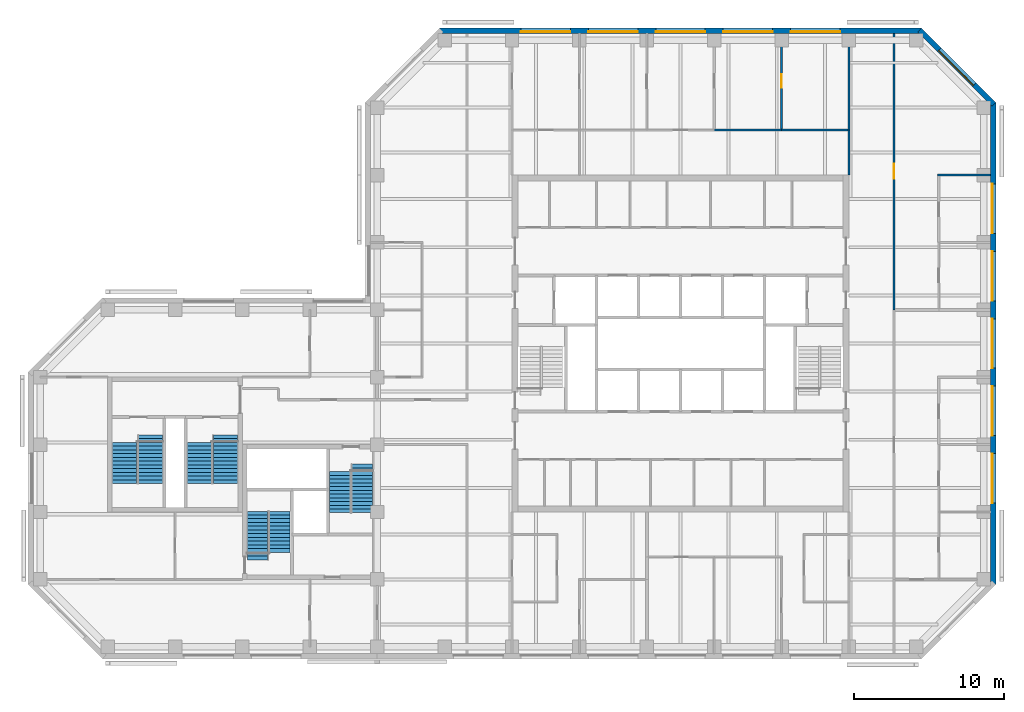
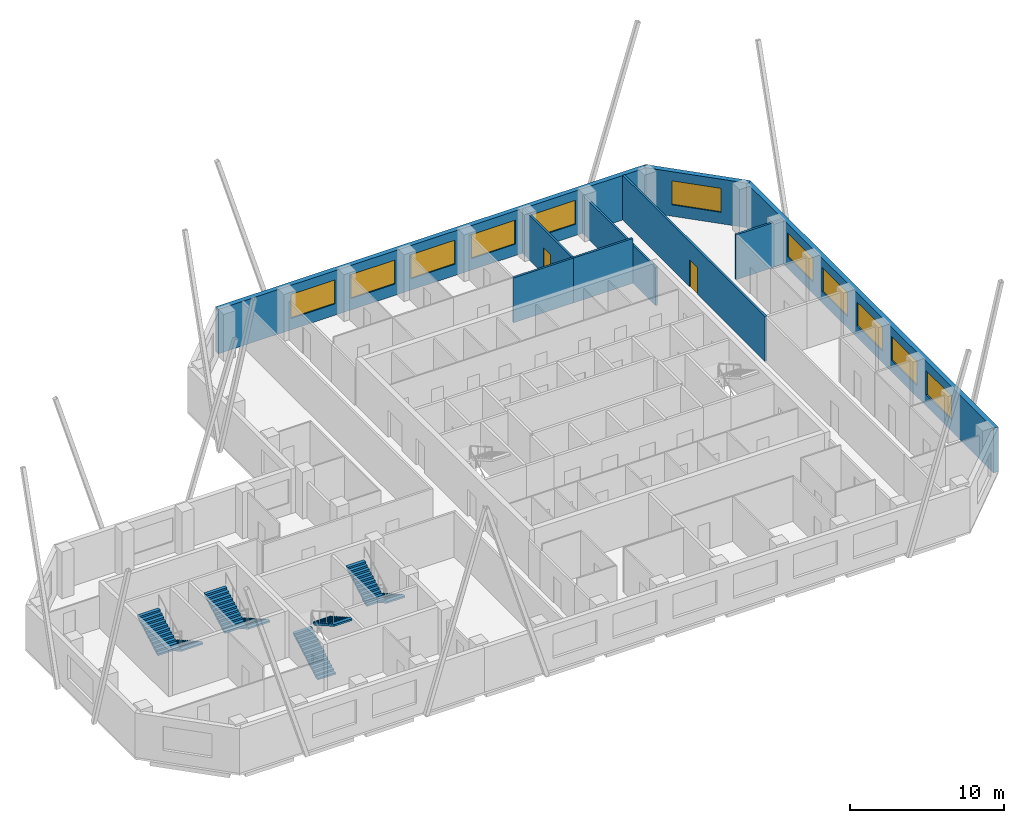
# One storey, part 8 of 10: 11 windows, 10 walls, 8 stair flights, 2 doors, 13 openings, 4 elements without a shape of their own.
"""IFC4 building model written with IfcOpenShell, lengths in metres."""

from ifc_helpers import new_model, si_unit, direction, frame, frame_2d, origin, place, context, subcontext, project, spatial, polyline, rectangle, outline, extrude, material, layer, layer_set, constituent, constituent_set, type_object, element, fill, aggregate, save


model = new_model("IFC4")

# Units and contexts
model_context = context("Model", 3, precision=1e-05, world=origin(), true_north=direction((0.0, 1.0)))
body_context = subcontext(model_context, "Body", "Model", "MODEL_VIEW")
ifc_project = project(units=[si_unit("LENGTHUNIT", "METRE"), si_unit("AREAUNIT", "SQUARE_METRE"), si_unit("VOLUMEUNIT", "CUBIC_METRE"), si_unit("PLANEANGLEUNIT", "RADIAN"), si_unit("MASSUNIT", "GRAM", prefix="KILO")], contexts=[model_context])

# Site, building, storey
site_placement = place(None, origin())
site = spatial("IfcSite", under=ifc_project, at=site_placement, CompositionType="ELEMENT")
building_placement = place(site_placement, origin())
building = spatial("IfcBuilding", under=site, at=building_placement, Name="Quoin Convention Tower", CompositionType="ELEMENT")
storey_placement = place(building_placement, frame((0.0, 0.0, 234.10009765625)))
storey = spatial("IfcBuildingStorey", under=building, at=storey_placement, Name="L61", CompositionType="ELEMENT", Elevation=234.10009765625)

# Walls
ifc_material_1 = material(Name="Plasterboard")
ifc_layer_1 = layer(ifc_material_1, 0.012451171875, Name="Finish")
ifc_material_2 = material(Name="Steel stud framing", Category="steel")
ifc_layer_2 = layer(ifc_material_2, 0.125, Name="Structure")
ifc_layer_3 = layer(ifc_material_1, 0.012451171875, Name="Finish")
ifc_layer_set_1 = layer_set([ifc_layer_1, ifc_layer_2, ifc_layer_3], Name="Steel stud framing")
wall_type_1 = type_object("IfcWallType", Name="Acoustic partition 150", PredefinedType="PARTITIONING", material=ifc_layer_set_1)
wall_1_placement = place(storey_placement, frame((73.425048828125, 72.0, 0.0), z_axis=(0.0, 0.0, 1.0), x_axis=(1.0, 0.0, 0.0)))
element("IfcWall", 1, at=wall_1_placement, inside=storey, type_object=wall_type_1, Name="pw-L61-028", PredefinedType="PARTITIONING", context=body_context, shape_type="SweptSolid", body=[
    extrude(rectangle(XDim=3.52490234375, YDim=0.14990234375, at=frame_2d((1.762451171875, 0.0))), origin(), (0.0, 0.0, 1.0), 3.5498046875),
])
wall_2_placement = place(storey_placement, frame((58.5, 75.0, 0.0), z_axis=(0.0, 0.0, 1.0), x_axis=(1.0, 0.0, 0.0)))
element("IfcWall", 2, at=wall_2_placement, inside=storey, type_object=wall_type_1, Name="pw-L61-032", PredefinedType="PARTITIONING", context=body_context, shape_type="SweptSolid", body=[
    extrude(rectangle(XDim=4.5, YDim=0.14990234375, at=frame_2d((2.25, 0.0))), origin(), (0.0, 0.0, 1.0), 3.5498046875),
])
wall_3_placement = place(storey_placement, frame((63.0, 75.0, 0.0), z_axis=(0.0, 0.0, 1.0), x_axis=(1.0, 0.0, 0.0)))
element("IfcWall", 3, at=wall_3_placement, inside=storey, type_object=wall_type_1, Name="pw-L61-033", PredefinedType="PARTITIONING", context=body_context, shape_type="SweptSolid", body=[
    extrude(rectangle(XDim=4.425048828125, YDim=0.14990234375, at=frame_2d((2.21240234375, 0.0))), origin(), (0.0, 0.0, 1.0), 3.5498046875),
])

# Wall, opening, door
wall_4_placement = place(storey_placement, frame((63.0, 75.074951171875, 0.0), z_axis=(0.0, 0.0, 1.0), x_axis=(0.0, 1.0, 0.0)))
wall_4 = element("IfcWall", 4, at=wall_4_placement, inside=storey, type_object=wall_type_1, Name="pw-L61-079", PredefinedType="PARTITIONING", context=body_context, shape_type="SweptSolid", body=[
    extrude(rectangle(XDim=6.375, YDim=0.14990234375, at=frame_2d((3.1875, 0.0))), origin(), (0.0, 0.0, 1.0), 3.5498046875),
])
opening_1_placement = place(wall_4_placement, frame((2.75, 0.0, 0.0)))
opening_1 = element("IfcOpeningElement", 5, at=opening_1_placement, cuts=wall_4, Name="Opening DOH11-27", PredefinedType="OPENING", context=body_context, shape_type="SweptSolid", body=[
    extrude(rectangle(XDim=0.89990234375, YDim=2.10009765625, at=frame_2d((0.449951171875, 1.050048828125))), frame((0.0, 0.0849609375, 0.0), z_axis=(0.0, -1.0, 0.0), x_axis=(1.0, 0.0, 0.0)), (0.0, 0.0, 1.0), 0.169921875),
])
ifc_material_3 = material(Name="Steel door leaf", Category="steel")
door_type_1 = type_object("IfcDoorType", Name="Office door 900 x 2100", OperationType="SINGLE_SWING_RIGHT", PredefinedType="DOOR", material=ifc_material_3)
door_1_placement = place(opening_1_placement, origin())
door_1 = element("IfcDoor", 6, at=door_1_placement, inside=storey, type_object=door_type_1, Name="dr-L61-21", OperationType="SINGLE_SWING_RIGHT", OverallHeight=2.10009765625, OverallWidth=0.89990234375, PredefinedType="DOOR", context=body_context, shape_type="SweptSolid", body=[
    extrude(rectangle(XDim=0.89990234375, YDim=2.10009765625, at=frame_2d((0.449951171875, 1.050048828125))), frame((0.0, 0.02490234375, 0.0), z_axis=(0.0, -1.0, 0.0), x_axis=(1.0, 0.0, 0.0)), (0.0, 0.0, 1.0), 0.050048828125),
])
fill(opening_1, door_1)

# Wall, openings, windows
ifc_material_4 = material(Name="Brick masonry", Category="masonry")
ifc_layer_4 = layer(ifc_material_4, 0.35009765625)
ifc_layer_set_2 = layer_set([ifc_layer_4], Name="Brick masonry")
wall_type_2 = type_object("IfcWallType", Name="Brick facade wall", PredefinedType="STANDARD", material=ifc_layer_set_2)
wall_5_placement = place(storey_placement, frame((77.125, 44.668701171875, 0.0), z_axis=(0.0, 0.0, 1.0), x_axis=(0.0, 1.0, 0.0)))
wall_5 = element("IfcWall", 7, at=wall_5_placement, inside=storey, type_object=wall_type_2, Name="fw-L61-76500_45000", PredefinedType="STANDARD", context=body_context, shape_type="SweptSolid", body=[
    extrude(rectangle(XDim=32.16259765625, YDim=0.35009765625, at=frame_2d((16.081298828125, 0.0))), origin(), (0.0, 0.0, 1.0), 3.52490234375),
])
opening_2_placement = place(wall_5_placement, frame((5.431396484375, 0.0, 0.89990234375)))
opening_2 = element("IfcOpeningElement", 8, at=opening_2_placement, cuts=wall_5, Name="Opening W-02", PredefinedType="OPENING", context=body_context, shape_type="SweptSolid", body=[
    extrude(rectangle(XDim=3.300048828125, YDim=1.89990234375, at=frame_2d((1.64990234375, 0.949951171875))), frame((0.0, 0.18505859375, 0.0), z_axis=(0.0, -1.0, 0.0), x_axis=(1.0, 0.0, 0.0)), (0.0, 0.0, 1.0), 0.3701171875),
])
opening_3_placement = place(wall_5_placement, frame((9.931396484375, 0.0, 0.89990234375)))
opening_3 = element("IfcOpeningElement", 9, at=opening_3_placement, cuts=wall_5, Name="Opening W-02", PredefinedType="OPENING", context=body_context, shape_type="SweptSolid", body=[
    extrude(rectangle(XDim=3.300048828125, YDim=1.89990234375, at=frame_2d((1.64990234375, 0.949951171875))), frame((0.0, 0.18505859375, 0.0), z_axis=(0.0, -1.0, 0.0), x_axis=(1.0, 0.0, 0.0)), (0.0, 0.0, 1.0), 0.3701171875),
])
opening_4_placement = place(wall_5_placement, frame((14.431396484375, 0.0, 0.89990234375)))
opening_4 = element("IfcOpeningElement", 10, at=opening_4_placement, cuts=wall_5, Name="Opening W-02", PredefinedType="OPENING", context=body_context, shape_type="SweptSolid", body=[
    extrude(rectangle(XDim=3.300048828125, YDim=1.89990234375, at=frame_2d((1.64990234375, 0.949951171875))), frame((0.0, 0.18505859375, 0.0), z_axis=(0.0, -1.0, 0.0), x_axis=(1.0, 0.0, 0.0)), (0.0, 0.0, 1.0), 0.3701171875),
])
opening_5_placement = place(wall_5_placement, frame((18.931396484375, 0.0, 0.89990234375)))
opening_5 = element("IfcOpeningElement", 11, at=opening_5_placement, cuts=wall_5, Name="Opening W-02", PredefinedType="OPENING", context=body_context, shape_type="SweptSolid", body=[
    extrude(rectangle(XDim=3.300048828125, YDim=1.89990234375, at=frame_2d((1.64990234375, 0.949951171875))), frame((0.0, 0.18505859375, 0.0), z_axis=(0.0, -1.0, 0.0), x_axis=(1.0, 0.0, 0.0)), (0.0, 0.0, 1.0), 0.3701171875),
])
opening_6_placement = place(wall_5_placement, frame((23.431396484375, 0.0, 0.89990234375)))
opening_6 = element("IfcOpeningElement", 12, at=opening_6_placement, cuts=wall_5, Name="Opening W-02", PredefinedType="OPENING", context=body_context, shape_type="SweptSolid", body=[
    extrude(rectangle(XDim=3.300048828125, YDim=1.89990234375, at=frame_2d((1.64990234375, 0.949951171875))), frame((0.0, 0.18505859375, 0.0), z_axis=(0.0, -1.0, 0.0), x_axis=(1.0, 0.0, 0.0)), (0.0, 0.0, 1.0), 0.3701171875),
])
ifc_material_5 = material(Name="Aluminium", Category="aluminium")
ifc_constituent_1 = constituent(ifc_material_5, Name="Frame")
ifc_material_6 = material(Name="Insulated glass", Category="glass")
ifc_constituent_2 = constituent(ifc_material_6, Name="Glazing")
ifc_constituent_set = constituent_set(constituents=[ifc_constituent_1, ifc_constituent_2], Name="Aluminium")
window_type = type_object("IfcWindowType", Name="Office window", PartitioningType="DOUBLE_PANEL_VERTICAL", PredefinedType="WINDOW", material=ifc_constituent_set)
window_1_placement = place(opening_2_placement, origin())
window_1 = element("IfcWindow", 13, at=window_1_placement, inside=storey, type_object=window_type, Name="win-L61-77125_51750", OverallHeight=1.89990234375, OverallWidth=3.300048828125, PartitioningType="SINGLE_PANEL", PredefinedType="WINDOW", context=body_context, shape_type="SweptSolid", body=[
    extrude(rectangle(XDim=3.300048828125, YDim=1.89990234375, at=frame_2d((1.64990234375, 0.949951171875))), frame((0.0, 0.0849609375, 0.0), z_axis=(0.0, -1.0, 0.0), x_axis=(1.0, 0.0, 0.0)), (0.0, 0.0, 1.0), 0.06005859375),
])
fill(opening_2, window_1)
window_2_placement = place(opening_3_placement, origin())
window_2 = element("IfcWindow", 14, at=window_2_placement, inside=storey, type_object=window_type, Name="win-L61-77125_56250", OverallHeight=1.89990234375, OverallWidth=3.300048828125, PartitioningType="SINGLE_PANEL", PredefinedType="WINDOW", context=body_context, shape_type="SweptSolid", body=[
    extrude(rectangle(XDim=3.300048828125, YDim=1.89990234375, at=frame_2d((1.64990234375, 0.949951171875))), frame((0.0, 0.0849609375, 0.0), z_axis=(0.0, -1.0, 0.0), x_axis=(1.0, 0.0, 0.0)), (0.0, 0.0, 1.0), 0.06005859375),
])
fill(opening_3, window_2)
window_3_placement = place(opening_4_placement, origin())
window_3 = element("IfcWindow", 15, at=window_3_placement, inside=storey, type_object=window_type, Name="win-L61-77125_60750", OverallHeight=1.89990234375, OverallWidth=3.300048828125, PartitioningType="SINGLE_PANEL", PredefinedType="WINDOW", context=body_context, shape_type="SweptSolid", body=[
    extrude(rectangle(XDim=3.300048828125, YDim=1.89990234375, at=frame_2d((1.64990234375, 0.949951171875))), frame((0.0, 0.0849609375, 0.0), z_axis=(0.0, -1.0, 0.0), x_axis=(1.0, 0.0, 0.0)), (0.0, 0.0, 1.0), 0.06005859375),
])
fill(opening_4, window_3)
window_4_placement = place(opening_5_placement, origin())
window_4 = element("IfcWindow", 16, at=window_4_placement, inside=storey, type_object=window_type, Name="win-L61-77125_65250", OverallHeight=1.89990234375, OverallWidth=3.300048828125, PartitioningType="SINGLE_PANEL", PredefinedType="WINDOW", context=body_context, shape_type="SweptSolid", body=[
    extrude(rectangle(XDim=3.300048828125, YDim=1.89990234375, at=frame_2d((1.64990234375, 0.949951171875))), frame((0.0, 0.0849609375, 0.0), z_axis=(0.0, -1.0, 0.0), x_axis=(1.0, 0.0, 0.0)), (0.0, 0.0, 1.0), 0.06005859375),
])
fill(opening_5, window_4)
window_5_placement = place(opening_6_placement, origin())
window_5 = element("IfcWindow", 17, at=window_5_placement, inside=storey, type_object=window_type, Name="win-L61-77125_69750", OverallHeight=1.89990234375, OverallWidth=3.300048828125, PartitioningType="SINGLE_PANEL", PredefinedType="WINDOW", context=body_context, shape_type="SweptSolid", body=[
    extrude(rectangle(XDim=3.300048828125, YDim=1.89990234375, at=frame_2d((1.64990234375, 0.949951171875))), frame((0.0, 0.0849609375, 0.0), z_axis=(0.0, -1.0, 0.0), x_axis=(1.0, 0.0, 0.0)), (0.0, 0.0, 1.0), 0.06005859375),
])
fill(opening_6, window_5)

# Wall, opening, window
wall_6_placement = place(storey_placement, frame((77.17626953125, 76.70751953125, 0.0), z_axis=(0.0, 0.0, 1.0), x_axis=(-0.707106781187, 0.707106781187, 0.0)))
wall_6 = element("IfcWall", 18, at=wall_6_placement, inside=storey, type_object=wall_type_2, Name="fw-L61-76500_76500", PredefinedType="STANDARD", context=body_context, shape_type="SweptSolid", body=[
    extrude(rectangle(XDim=7.02685546875, YDim=0.35009765625, at=frame_2d((3.513427734375, 0.0))), origin(), (0.0, 0.0, 1.0), 3.52490234375),
])
opening_7_placement = place(wall_6_placement, frame((1.86328125, 0.0, 0.89990234375)))
opening_7 = element("IfcOpeningElement", 19, at=opening_7_placement, cuts=wall_6, Name="Opening W-02", PredefinedType="OPENING", context=body_context, shape_type="SweptSolid", body=[
    extrude(rectangle(XDim=3.300048828125, YDim=1.89990234375, at=frame_2d((1.64990234375, 0.949951171875))), frame((0.0, 0.18505859375, 0.0), z_axis=(0.0, -1.0, 0.0), x_axis=(1.0, 0.0, 0.0)), (0.0, 0.0, 1.0), 0.3701171875),
])
window_6_placement = place(opening_7_placement, origin())
window_6 = element("IfcWindow", 20, at=window_6_placement, inside=storey, type_object=window_type, Name="win-L61-74692_79192", OverallHeight=1.89990234375, OverallWidth=3.300048828125, PartitioningType="SINGLE_PANEL", PredefinedType="WINDOW", context=body_context, shape_type="SweptSolid", body=[
    extrude(rectangle(XDim=3.300048828125, YDim=1.89990234375, at=frame_2d((1.64990234375, 0.949951171875))), frame((0.0, 0.0849609375, 0.0), z_axis=(0.0, -1.0, 0.0), x_axis=(1.0, 0.0, 0.0)), (0.0, 0.0, 1.0), 0.06005859375),
])
fill(opening_7, window_6)

# Wall, openings, windows
wall_7_placement = place(storey_placement, frame((72.331298828125, 81.625, 0.0), z_axis=(0.0, 0.0, 1.0), x_axis=(-1.0, 0.0, 0.0)))
wall_7 = element("IfcWall", 21, at=wall_7_placement, inside=storey, type_object=wall_type_2, Name="fw-L61-72000_81000", PredefinedType="STANDARD", context=body_context, shape_type="SweptSolid", body=[
    extrude(rectangle(XDim=32.16259765625, YDim=0.35009765625, at=frame_2d((16.081298828125, 0.0))), origin(), (0.0, 0.0, 1.0), 3.52490234375),
])
opening_8_placement = place(wall_7_placement, frame((5.431396484375, 0.0, 0.89990234375)))
opening_8 = element("IfcOpeningElement", 22, at=opening_8_placement, cuts=wall_7, Name="Opening W-02", PredefinedType="OPENING", context=body_context, shape_type="SweptSolid", body=[
    extrude(rectangle(XDim=3.300048828125, YDim=1.89990234375, at=frame_2d((1.64990234375, 0.949951171875))), frame((0.0, 0.18505859375, 0.0), z_axis=(0.0, -1.0, 0.0), x_axis=(1.0, 0.0, 0.0)), (0.0, 0.0, 1.0), 0.3701171875),
])
opening_9_placement = place(wall_7_placement, frame((9.931396484375, 0.0, 0.89990234375)))
opening_9 = element("IfcOpeningElement", 23, at=opening_9_placement, cuts=wall_7, Name="Opening W-02", PredefinedType="OPENING", context=body_context, shape_type="SweptSolid", body=[
    extrude(rectangle(XDim=3.300048828125, YDim=1.89990234375, at=frame_2d((1.64990234375, 0.949951171875))), frame((0.0, 0.18505859375, 0.0), z_axis=(0.0, -1.0, 0.0), x_axis=(1.0, 0.0, 0.0)), (0.0, 0.0, 1.0), 0.3701171875),
])
opening_10_placement = place(wall_7_placement, frame((14.431396484375, 0.0, 0.89990234375)))
opening_10 = element("IfcOpeningElement", 24, at=opening_10_placement, cuts=wall_7, Name="Opening W-02", PredefinedType="OPENING", context=body_context, shape_type="SweptSolid", body=[
    extrude(rectangle(XDim=3.300048828125, YDim=1.89990234375, at=frame_2d((1.64990234375, 0.949951171875))), frame((0.0, 0.18505859375, 0.0), z_axis=(0.0, -1.0, 0.0), x_axis=(1.0, 0.0, 0.0)), (0.0, 0.0, 1.0), 0.3701171875),
])
opening_11_placement = place(wall_7_placement, frame((18.931396484375, 0.0, 0.89990234375)))
opening_11 = element("IfcOpeningElement", 25, at=opening_11_placement, cuts=wall_7, Name="Opening W-02", PredefinedType="OPENING", context=body_context, shape_type="SweptSolid", body=[
    extrude(rectangle(XDim=3.300048828125, YDim=1.89990234375, at=frame_2d((1.64990234375, 0.949951171875))), frame((0.0, 0.18505859375, 0.0), z_axis=(0.0, -1.0, 0.0), x_axis=(1.0, 0.0, 0.0)), (0.0, 0.0, 1.0), 0.3701171875),
])
opening_12_placement = place(wall_7_placement, frame((23.431396484375, 0.0, 0.89990234375)))
opening_12 = element("IfcOpeningElement", 26, at=opening_12_placement, cuts=wall_7, Name="Opening W-02", PredefinedType="OPENING", context=body_context, shape_type="SweptSolid", body=[
    extrude(rectangle(XDim=3.300048828125, YDim=1.89990234375, at=frame_2d((1.64990234375, 0.949951171875))), frame((0.0, 0.18505859375, 0.0), z_axis=(0.0, -1.0, 0.0), x_axis=(1.0, 0.0, 0.0)), (0.0, 0.0, 1.0), 0.3701171875),
])
window_7_placement = place(opening_8_placement, origin())
window_7 = element("IfcWindow", 27, at=window_7_placement, inside=storey, type_object=window_type, Name="win-L61-65250_81625", OverallHeight=1.89990234375, OverallWidth=3.300048828125, PartitioningType="SINGLE_PANEL", PredefinedType="WINDOW", context=body_context, shape_type="SweptSolid", body=[
    extrude(rectangle(XDim=3.300048828125, YDim=1.89990234375, at=frame_2d((1.64990234375, 0.949951171875))), frame((0.0, 0.0849609375, 0.0), z_axis=(0.0, -1.0, 0.0), x_axis=(1.0, 0.0, 0.0)), (0.0, 0.0, 1.0), 0.06005859375),
])
fill(opening_8, window_7)
window_8_placement = place(opening_9_placement, origin())
window_8 = element("IfcWindow", 28, at=window_8_placement, inside=storey, type_object=window_type, Name="win-L61-60750_81625", OverallHeight=1.89990234375, OverallWidth=3.300048828125, PartitioningType="SINGLE_PANEL", PredefinedType="WINDOW", context=body_context, shape_type="SweptSolid", body=[
    extrude(rectangle(XDim=3.300048828125, YDim=1.89990234375, at=frame_2d((1.64990234375, 0.949951171875))), frame((0.0, 0.0849609375, 0.0), z_axis=(0.0, -1.0, 0.0), x_axis=(1.0, 0.0, 0.0)), (0.0, 0.0, 1.0), 0.06005859375),
])
fill(opening_9, window_8)
window_9_placement = place(opening_10_placement, origin())
window_9 = element("IfcWindow", 29, at=window_9_placement, inside=storey, type_object=window_type, Name="win-L61-56250_81625", OverallHeight=1.89990234375, OverallWidth=3.300048828125, PartitioningType="SINGLE_PANEL", PredefinedType="WINDOW", context=body_context, shape_type="SweptSolid", body=[
    extrude(rectangle(XDim=3.300048828125, YDim=1.89990234375, at=frame_2d((1.64990234375, 0.949951171875))), frame((0.0, 0.0849609375, 0.0), z_axis=(0.0, -1.0, 0.0), x_axis=(1.0, 0.0, 0.0)), (0.0, 0.0, 1.0), 0.06005859375),
])
fill(opening_10, window_9)
window_10_placement = place(opening_11_placement, origin())
window_10 = element("IfcWindow", 30, at=window_10_placement, inside=storey, type_object=window_type, Name="win-L61-51750_81625", OverallHeight=1.89990234375, OverallWidth=3.300048828125, PartitioningType="SINGLE_PANEL", PredefinedType="WINDOW", context=body_context, shape_type="SweptSolid", body=[
    extrude(rectangle(XDim=3.300048828125, YDim=1.89990234375, at=frame_2d((1.64990234375, 0.949951171875))), frame((0.0, 0.0849609375, 0.0), z_axis=(0.0, -1.0, 0.0), x_axis=(1.0, 0.0, 0.0)), (0.0, 0.0, 1.0), 0.06005859375),
])
fill(opening_11, window_10)
window_11_placement = place(opening_12_placement, origin())
window_11 = element("IfcWindow", 31, at=window_11_placement, inside=storey, type_object=window_type, Name="win-L61-47250_81625", OverallHeight=1.89990234375, OverallWidth=3.300048828125, PartitioningType="SINGLE_PANEL", PredefinedType="WINDOW", context=body_context, shape_type="SweptSolid", body=[
    extrude(rectangle(XDim=3.300048828125, YDim=1.89990234375, at=frame_2d((1.64990234375, 0.949951171875))), frame((0.0, 0.0849609375, 0.0), z_axis=(0.0, -1.0, 0.0), x_axis=(1.0, 0.0, 0.0)), (0.0, 0.0, 1.0), 0.06005859375),
])
fill(opening_12, window_11)

# Wall, opening, door
ifc_layer_5 = layer(ifc_material_1, 0.012451171875, Name="Finish")
ifc_layer_6 = layer(ifc_material_2, 0.125, Name="Structure")
ifc_layer_7 = layer(ifc_material_1, 0.012451171875, Name="Finish")
ifc_layer_set_3 = layer_set([ifc_layer_5, ifc_layer_6, ifc_layer_7], Name="Steel stud framing")
wall_type_3 = type_object("IfcWallType", Name="Corridor wall 150", PredefinedType="PARTITIONING", material=ifc_layer_set_3)
wall_8_placement = place(storey_placement, frame((70.5, 63.0, 0.0), z_axis=(0.0, 0.0, 1.0), x_axis=(0.0, 1.0, 0.0)))
wall_8 = element("IfcWall", 32, at=wall_8_placement, inside=storey, type_object=wall_type_3, Name="pw-L61-068", PredefinedType="PARTITIONING", context=body_context, shape_type="SweptSolid", body=[
    extrude(rectangle(XDim=18.449951171875, YDim=0.14990234375, at=frame_2d((9.22509765625, 0.0))), origin(), (0.0, 0.0, 1.0), 3.5498046875),
])
opening_13_placement = place(wall_8_placement, frame((8.75, 0.0, 0.0)))
opening_13 = element("IfcOpeningElement", 33, at=opening_13_placement, cuts=wall_8, Name="Opening DOH11-20", PredefinedType="OPENING", context=body_context, shape_type="SweptSolid", body=[
    extrude(rectangle(XDim=1.0, YDim=2.10009765625, at=frame_2d((0.5, 1.050048828125))), frame((0.0, 0.0849609375, 0.0), z_axis=(0.0, -1.0, 0.0), x_axis=(1.0, 0.0, 0.0)), (0.0, 0.0, 1.0), 0.169921875),
])
door_type_2 = type_object("IfcDoorType", Name="Tenancy entrance door 1000 x 2100", OperationType="DOUBLE_DOOR_SINGLE_SWING", PredefinedType="DOOR", material=ifc_material_3)
door_2_placement = place(opening_13_placement, frame((1.0, 0.0, 0.0), z_axis=(0.0, 0.0, 1.0), x_axis=(-1.0, 0.0, 0.0)))
door_2 = element("IfcDoor", 34, at=door_2_placement, inside=storey, type_object=door_type_2, Name="dr-L61-29", OperationType="DOUBLE_DOOR_SINGLE_SWING", OverallHeight=2.10009765625, OverallWidth=1.0, PredefinedType="DOOR", context=body_context, shape_type="SweptSolid", body=[
    extrude(rectangle(XDim=1.0, YDim=2.10009765625, at=frame_2d((0.5, 1.050048828125))), frame((0.0, 0.02490234375, 0.0), z_axis=(0.0, -1.0, 0.0), x_axis=(1.0, 0.0, 0.0)), (0.0, 0.0, 1.0), 0.050048828125),
])
fill(opening_13, door_2)

# Walls
ifc_layer_8 = layer(ifc_material_1, 0.012451171875, Name="Finish")
ifc_layer_9 = layer(ifc_material_2, 0.125, Name="Structure")
ifc_layer_10 = layer(ifc_material_1, 0.012451171875, Name="Finish")
ifc_layer_set_4 = layer_set([ifc_layer_8, ifc_layer_9, ifc_layer_10], Name="Steel stud framing")
wall_type_4 = type_object("IfcWallType", Name="Corridor wall 150 under beam 528", PredefinedType="PARTITIONING", material=ifc_layer_set_4)
wall_9_placement = place(storey_placement, frame((67.5, 72.0, 0.0), z_axis=(0.0, 0.0, 1.0), x_axis=(0.0, 1.0, 0.0)))
element("IfcWall", 35, at=wall_9_placement, inside=storey, type_object=wall_type_4, Name="pw-L61-073", PredefinedType="PARTITIONING", context=body_context, shape_type="SweptSolid", body=[
    extrude(rectangle(XDim=3.0, YDim=0.14990234375, at=frame_2d((1.5, 0.0))), origin(), (0.0, 0.0, 1.0), 3.02197265625),
])
wall_10_placement = place(storey_placement, frame((67.5, 75.0, 0.0), z_axis=(0.0, 0.0, 1.0), x_axis=(0.0, 1.0, 0.0)))
element("IfcWall", 36, at=wall_10_placement, inside=storey, type_object=wall_type_4, Name="pw-L61-076", PredefinedType="PARTITIONING", context=body_context, shape_type="SweptSolid", body=[
    extrude(rectangle(XDim=6.449951171875, YDim=0.14990234375, at=frame_2d((3.22509765625, 0.0))), origin(), (0.0, 0.0, 1.0), 3.02197265625),
])

# Stair, stair flights
ifc_material_7 = material(Name="Concrete C40", Category="concrete")
stair_type_1 = type_object("IfcStairType", Name="Exit stair two-flight 1350", PredefinedType="HALF_TURN_STAIR", material=ifc_material_7)
stair_1_placement = place(storey_placement, origin())
stair_1 = element("IfcStair", 37, at=stair_1_placement, inside=storey, type_object=stair_type_1, Name="SD3 L61", PredefinedType="HALF_TURN_STAIR")
stair_flight_type_1 = type_object("IfcStairFlightType", Name="Stair flight 1350", PredefinedType="STRAIGHT", material=ifc_material_7)
stair_flight_1_placement = place(storey_placement, frame((28.0, 46.300048828125, 0.0), z_axis=(0.0, 0.0, 1.0), x_axis=(0.0, 1.0, 0.0)))
stair_flight_1 = element("IfcStairFlight", 38, at=stair_flight_1_placement, type_object=stair_flight_type_1, Name="ST3 flight 1", NumberOfRisers=14, NumberOfTreads=13, PredefinedType="STRAIGHT", RiserHeight=0.142307692, TreadLength=0.25, context=body_context, shape_type="SweptSolid", body=[
    extrude(outline(polyline([(0.0, 0.0), (0.0, 0.142333984375), (0.25, 0.142333984375), (0.25, 0.28466796875), (0.5, 0.28466796875), (0.5, 0.427001953125), (0.75, 0.427001953125), (0.75, 0.5693359375), (1.0, 0.5693359375), (1.0, 0.71142578125), (1.25, 0.71142578125), (1.25, 0.853759765625), (1.5, 0.853759765625), (1.5, 0.99609375), (1.75, 0.99609375), (1.75, 1.138427734375), (2.0, 1.138427734375), (2.0, 1.28076171875), (2.25, 1.28076171875), (2.25, 1.423095703125), (2.5, 1.423095703125), (2.5, 1.5654296875), (2.75, 1.5654296875), (2.75, 1.707763671875), (3.0, 1.707763671875), (3.0, 1.85009765625), (3.25, 1.85009765625), (3.25, 1.9921875), (3.25, 1.711669921875), (0.242919921875, 0.0), (0.0, 0.0)])), frame((0.0, 0.675048828125, 0.0), z_axis=(0.0, -1.0, 0.0), x_axis=(1.0, 0.0, 0.0)), (0.0, 0.0, 1.0), 1.35009765625),
])
stair_flight_2_placement = place(storey_placement, frame((29.5, 49.550048828125, 1.9921875), z_axis=(0.0, 0.0, 1.0), x_axis=(0.0, -1.0, 0.0)))
stair_flight_2 = element("IfcStairFlight", 39, at=stair_flight_2_placement, type_object=stair_flight_type_1, Name="ST3 flight 2", NumberOfRisers=12, NumberOfTreads=11, PredefinedType="STRAIGHT", RiserHeight=0.142307692, TreadLength=0.25, context=body_context, shape_type="SweptSolid", body=[
    extrude(outline(polyline([(0.0, 0.0), (0.0, 0.142333984375), (0.25, 0.142333984375), (0.25, 0.28466796875), (0.5, 0.28466796875), (0.5, 0.427001953125), (0.75, 0.427001953125), (0.75, 0.5693359375), (1.0, 0.5693359375), (1.0, 0.71142578125), (1.25, 0.71142578125), (1.25, 0.853759765625), (1.5, 0.853759765625), (1.5, 0.99609375), (1.75, 0.99609375), (1.75, 1.138427734375), (2.0, 1.138427734375), (2.0, 1.28076171875), (2.25, 1.28076171875), (2.25, 1.423095703125), (2.5, 1.423095703125), (2.5, 1.5654296875), (2.75, 1.5654296875), (2.75, 1.707763671875), (2.75, 1.42724609375), (0.242919921875, 0.0), (0.0, 0.0)])), frame((0.0, 0.675048828125, 0.0), z_axis=(0.0, -1.0, 0.0), x_axis=(1.0, 0.0, 0.0)), (0.0, 0.0, 1.0), 1.35009765625),
])
aggregate(stair_1, [stair_flight_1, stair_flight_2])

stair_2_placement = place(storey_placement, origin())
stair_2 = element("IfcStair", 40, at=stair_2_placement, inside=storey, type_object=stair_type_1, Name="SD4 L61", PredefinedType="HALF_TURN_STAIR")
stair_flight_3_placement = place(storey_placement, frame((35.0, 52.699951171875, 0.0), z_axis=(0.0, 0.0, 1.0), x_axis=(0.0, -1.0, 0.0)))
stair_flight_3 = element("IfcStairFlight", 41, at=stair_flight_3_placement, type_object=stair_flight_type_1, Name="ST4 flight 1", NumberOfRisers=14, NumberOfTreads=13, PredefinedType="STRAIGHT", RiserHeight=0.142307692, TreadLength=0.25, context=body_context, shape_type="SweptSolid", body=[
    extrude(outline(polyline([(0.0, 0.0), (0.0, 0.142333984375), (0.25, 0.142333984375), (0.25, 0.28466796875), (0.5, 0.28466796875), (0.5, 0.427001953125), (0.75, 0.427001953125), (0.75, 0.5693359375), (1.0, 0.5693359375), (1.0, 0.71142578125), (1.25, 0.71142578125), (1.25, 0.853759765625), (1.5, 0.853759765625), (1.5, 0.99609375), (1.75, 0.99609375), (1.75, 1.138427734375), (2.0, 1.138427734375), (2.0, 1.28076171875), (2.25, 1.28076171875), (2.25, 1.423095703125), (2.5, 1.423095703125), (2.5, 1.5654296875), (2.75, 1.5654296875), (2.75, 1.707763671875), (3.0, 1.707763671875), (3.0, 1.85009765625), (3.25, 1.85009765625), (3.25, 1.9921875), (3.25, 1.711669921875), (0.242919921875, 0.0), (0.0, 0.0)])), frame((0.0, 0.675048828125, 0.0), z_axis=(0.0, -1.0, 0.0), x_axis=(1.0, 0.0, 0.0)), (0.0, 0.0, 1.0), 1.35009765625),
])
stair_flight_4_placement = place(storey_placement, frame((33.5, 49.449951171875, 1.9921875), z_axis=(0.0, 0.0, 1.0), x_axis=(0.0, 1.0, 0.0)))
stair_flight_4 = element("IfcStairFlight", 42, at=stair_flight_4_placement, type_object=stair_flight_type_1, Name="ST4 flight 2", NumberOfRisers=12, NumberOfTreads=11, PredefinedType="STRAIGHT", RiserHeight=0.142307692, TreadLength=0.25, context=body_context, shape_type="SweptSolid", body=[
    extrude(outline(polyline([(0.0, 0.0), (0.0, 0.142333984375), (0.25, 0.142333984375), (0.25, 0.28466796875), (0.5, 0.28466796875), (0.5, 0.427001953125), (0.75, 0.427001953125), (0.75, 0.5693359375), (1.0, 0.5693359375), (1.0, 0.71142578125), (1.25, 0.71142578125), (1.25, 0.853759765625), (1.5, 0.853759765625), (1.5, 0.99609375), (1.75, 0.99609375), (1.75, 1.138427734375), (2.0, 1.138427734375), (2.0, 1.28076171875), (2.25, 1.28076171875), (2.25, 1.423095703125), (2.5, 1.423095703125), (2.5, 1.5654296875), (2.75, 1.5654296875), (2.75, 1.707763671875), (2.75, 1.42724609375), (0.242919921875, 0.0), (0.0, 0.0)])), frame((0.0, 0.675048828125, 0.0), z_axis=(0.0, -1.0, 0.0), x_axis=(1.0, 0.0, 0.0)), (0.0, 0.0, 1.0), 1.35009765625),
])
aggregate(stair_2, [stair_flight_3, stair_flight_4])

stair_type_2 = type_object("IfcStairType", Name="Exit stair two-flight 1600", PredefinedType="HALF_TURN_STAIR", material=ifc_material_7)
stair_3_placement = place(storey_placement, origin())
stair_3 = element("IfcStair", 43, at=stair_3_placement, inside=storey, type_object=stair_type_2, Name="SD11 L61", PredefinedType="HALF_TURN_STAIR")
stair_flight_type_2 = type_object("IfcStairFlightType", Name="Stair flight 1600", PredefinedType="STRAIGHT", material=ifc_material_7)
stair_flight_5_placement = place(storey_placement, frame((20.875, 54.64990234375, 0.0), z_axis=(0.0, 0.0, 1.0), x_axis=(0.0, -1.0, 0.0)))
stair_flight_5 = element("IfcStairFlight", 44, at=stair_flight_5_placement, type_object=stair_flight_type_2, Name="ST11 flight 1", NumberOfRisers=14, NumberOfTreads=13, PredefinedType="STRAIGHT", RiserHeight=0.142307692, TreadLength=0.25, context=body_context, shape_type="SweptSolid", body=[
    extrude(outline(polyline([(0.0, 0.0), (0.0, 0.142333984375), (0.25, 0.142333984375), (0.25, 0.28466796875), (0.5, 0.28466796875), (0.5, 0.427001953125), (0.75, 0.427001953125), (0.75, 0.5693359375), (1.0, 0.5693359375), (1.0, 0.71142578125), (1.25, 0.71142578125), (1.25, 0.853759765625), (1.5, 0.853759765625), (1.5, 0.99609375), (1.75, 0.99609375), (1.75, 1.138427734375), (2.0, 1.138427734375), (2.0, 1.28076171875), (2.25, 1.28076171875), (2.25, 1.423095703125), (2.5, 1.423095703125), (2.5, 1.5654296875), (2.75, 1.5654296875), (2.75, 1.707763671875), (3.0, 1.707763671875), (3.0, 1.85009765625), (3.25, 1.85009765625), (3.25, 1.9921875), (3.25, 1.711669921875), (0.242919921875, 0.0), (0.0, 0.0)])), frame((0.0, 0.800048828125, 0.0), z_axis=(0.0, -1.0, 0.0), x_axis=(1.0, 0.0, 0.0)), (0.0, 0.0, 1.0), 1.60009765625),
])
stair_flight_6_placement = place(storey_placement, frame((19.125, 51.39990234375, 1.9921875), z_axis=(0.0, 0.0, 1.0), x_axis=(0.0, 1.0, 0.0)))
stair_flight_6 = element("IfcStairFlight", 45, at=stair_flight_6_placement, type_object=stair_flight_type_2, Name="ST11 flight 2", NumberOfRisers=12, NumberOfTreads=11, PredefinedType="STRAIGHT", RiserHeight=0.142307692, TreadLength=0.25, context=body_context, shape_type="SweptSolid", body=[
    extrude(outline(polyline([(0.0, 0.0), (0.0, 0.142333984375), (0.25, 0.142333984375), (0.25, 0.28466796875), (0.5, 0.28466796875), (0.5, 0.427001953125), (0.75, 0.427001953125), (0.75, 0.5693359375), (1.0, 0.5693359375), (1.0, 0.71142578125), (1.25, 0.71142578125), (1.25, 0.853759765625), (1.5, 0.853759765625), (1.5, 0.99609375), (1.75, 0.99609375), (1.75, 1.138427734375), (2.0, 1.138427734375), (2.0, 1.28076171875), (2.25, 1.28076171875), (2.25, 1.423095703125), (2.5, 1.423095703125), (2.5, 1.5654296875), (2.75, 1.5654296875), (2.75, 1.707763671875), (2.75, 1.42724609375), (0.242919921875, 0.0), (0.0, 0.0)])), frame((0.0, 0.800048828125, 0.0), z_axis=(0.0, -1.0, 0.0), x_axis=(1.0, 0.0, 0.0)), (0.0, 0.0, 1.0), 1.60009765625),
])
aggregate(stair_3, [stair_flight_5, stair_flight_6])

stair_4_placement = place(storey_placement, origin())
stair_4 = element("IfcStair", 46, at=stair_4_placement, inside=storey, type_object=stair_type_2, Name="SD12 L61", PredefinedType="HALF_TURN_STAIR")
stair_flight_7_placement = place(storey_placement, frame((25.875, 54.64990234375, 0.0), z_axis=(0.0, 0.0, 1.0), x_axis=(0.0, -1.0, 0.0)))
stair_flight_7 = element("IfcStairFlight", 47, at=stair_flight_7_placement, type_object=stair_flight_type_2, Name="ST12 flight 1", NumberOfRisers=14, NumberOfTreads=13, PredefinedType="STRAIGHT", RiserHeight=0.142307692, TreadLength=0.25, context=body_context, shape_type="SweptSolid", body=[
    extrude(outline(polyline([(0.0, 0.0), (0.0, 0.142333984375), (0.25, 0.142333984375), (0.25, 0.28466796875), (0.5, 0.28466796875), (0.5, 0.427001953125), (0.75, 0.427001953125), (0.75, 0.5693359375), (1.0, 0.5693359375), (1.0, 0.71142578125), (1.25, 0.71142578125), (1.25, 0.853759765625), (1.5, 0.853759765625), (1.5, 0.99609375), (1.75, 0.99609375), (1.75, 1.138427734375), (2.0, 1.138427734375), (2.0, 1.28076171875), (2.25, 1.28076171875), (2.25, 1.423095703125), (2.5, 1.423095703125), (2.5, 1.5654296875), (2.75, 1.5654296875), (2.75, 1.707763671875), (3.0, 1.707763671875), (3.0, 1.85009765625), (3.25, 1.85009765625), (3.25, 1.9921875), (3.25, 1.711669921875), (0.242919921875, 0.0), (0.0, 0.0)])), frame((0.0, 0.800048828125, 0.0), z_axis=(0.0, -1.0, 0.0), x_axis=(1.0, 0.0, 0.0)), (0.0, 0.0, 1.0), 1.60009765625),
])
stair_flight_8_placement = place(storey_placement, frame((24.125, 51.39990234375, 1.9921875), z_axis=(0.0, 0.0, 1.0), x_axis=(0.0, 1.0, 0.0)))
stair_flight_8 = element("IfcStairFlight", 48, at=stair_flight_8_placement, type_object=stair_flight_type_2, Name="ST12 flight 2", NumberOfRisers=12, NumberOfTreads=11, PredefinedType="STRAIGHT", RiserHeight=0.142307692, TreadLength=0.25, context=body_context, shape_type="SweptSolid", body=[
    extrude(outline(polyline([(0.0, 0.0), (0.0, 0.142333984375), (0.25, 0.142333984375), (0.25, 0.28466796875), (0.5, 0.28466796875), (0.5, 0.427001953125), (0.75, 0.427001953125), (0.75, 0.5693359375), (1.0, 0.5693359375), (1.0, 0.71142578125), (1.25, 0.71142578125), (1.25, 0.853759765625), (1.5, 0.853759765625), (1.5, 0.99609375), (1.75, 0.99609375), (1.75, 1.138427734375), (2.0, 1.138427734375), (2.0, 1.28076171875), (2.25, 1.28076171875), (2.25, 1.423095703125), (2.5, 1.423095703125), (2.5, 1.5654296875), (2.75, 1.5654296875), (2.75, 1.707763671875), (2.75, 1.42724609375), (0.242919921875, 0.0), (0.0, 0.0)])), frame((0.0, 0.800048828125, 0.0), z_axis=(0.0, -1.0, 0.0), x_axis=(1.0, 0.0, 0.0)), (0.0, 0.0, 1.0), 1.60009765625),
])
aggregate(stair_4, [stair_flight_7, stair_flight_8])

save(model, "model.ifc")
